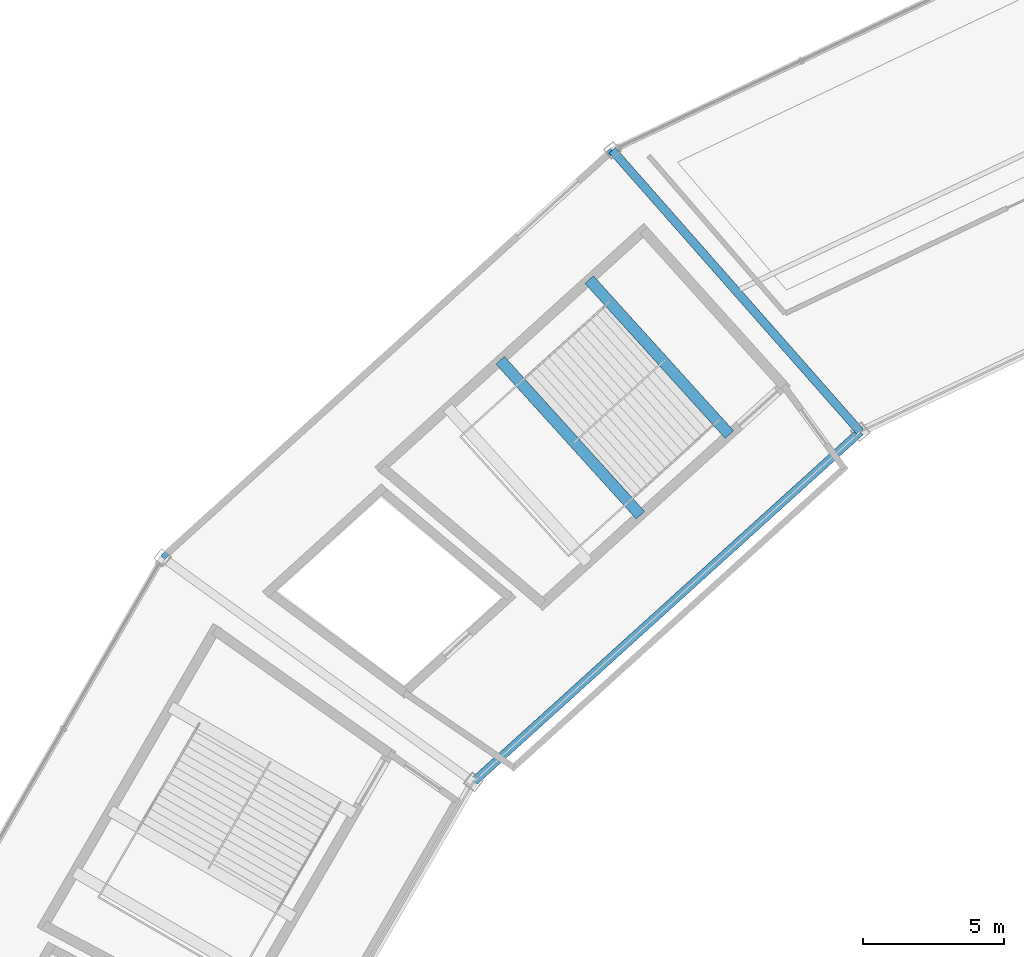
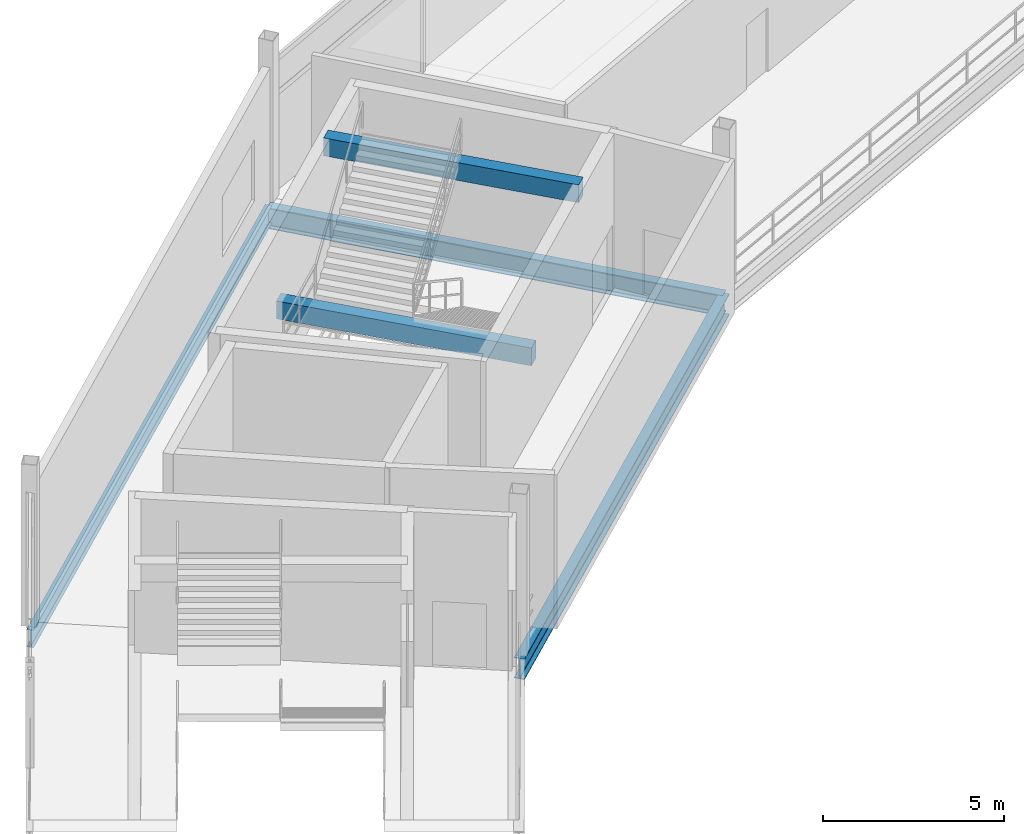
# One storey, part 50 of 103: 5 beams.
"""IFC4 building model written with IfcOpenShell, lengths in metres."""

import ifcopenshell
import ifcopenshell.guid

model = None  # the IFC model being written
_history = None  # IfcOwnerHistory: only IFC2X3 demands one
_inside = {}  # id of a spatial element -> (the spatial element, [elements in it])
_under = {}  # id of a project, library or spatial element -> (it, [spatial elements below it])
_declared = {}  # id of a project -> (the project, [libraries it declares])
_typed = {}  # id of a type object -> (the type object, [elements of that type])
_made_of = {}  # id of a material, layer set ... -> (it, [elements and type objects made of it])


def new_model(schema):
    """Start an empty IFC model of exactly this schema.

    Asked for "IFC4X3", IfcOpenShell would pick the latest addendum, in which some entities
    have other attributes; the version numbers below select the first issue.
    IFC2X3 requires an IfcOwnerHistory on every rooted entity: one is made here for all.
    """
    global model, _history
    if schema == "IFC4X3":
        model = ifcopenshell.file(schema_version=(4, 3, 0, 0))
    else:
        model = ifcopenshell.file(schema=schema)
    _inside.clear()
    _under.clear()
    _declared.clear()
    _typed.clear()
    _made_of.clear()
    _history = None
    if model.schema == "IFC2X3":
        org = make("IfcOrganization", Name="unknown")
        user = make(
            "IfcPersonAndOrganization",
            ThePerson=make("IfcPerson", FamilyName="unknown"),
            TheOrganization=org,
        )
        app = make(
            "IfcApplication",
            ApplicationDeveloper=org,
            Version="unknown",
            ApplicationFullName="unknown",
            ApplicationIdentifier="unknown",
        )
        _history = make(
            "IfcOwnerHistory",
            OwningUser=user,
            OwningApplication=app,
            ChangeAction="ADDED",
            CreationDate=0,
        )
    return model


def make(cls, **values):
    """One entity of the class cls with the attributes given. An attribute that is None is left unset."""
    return model.create_entity(
        cls, **{name: value for name, value in values.items() if value is not None}
    )


def rooted(cls, **values):
    """An entity with a GlobalId (a new one), such as an element, a storey or a relation."""
    return make(cls, GlobalId=ifcopenshell.guid.new(), OwnerHistory=_history, **values)


def si_unit(unit_type, name, prefix=None):
    """IfcSIUnit, for example si_unit("LENGTHUNIT", "METRE", prefix="MILLI")."""
    return make("IfcSIUnit", UnitType=unit_type, Prefix=prefix, Name=name)


def assignment(units):
    """IfcUnitAssignment: the units of a project."""
    return None if units is None else make("IfcUnitAssignment", Units=units)


def point(xyz):
    """IfcCartesianPoint."""
    return None if xyz is None else make("IfcCartesianPoint", Coordinates=xyz)


def direction(xyz):
    """IfcDirection."""
    return None if xyz is None else make("IfcDirection", DirectionRatios=xyz)


def frame(location, z_axis=None, x_axis=None):
    """IfcAxis2Placement3D, a coordinate frame: its origin and axes. An axis left out is left unset."""
    return make(
        "IfcAxis2Placement3D",
        Location=point(location),
        Axis=direction(z_axis),
        RefDirection=direction(x_axis),
    )


def frame_2d(location, x_axis=None):
    """IfcAxis2Placement2D, a coordinate frame in the plane: its origin and x axis."""
    return make(
        "IfcAxis2Placement2D", Location=point(location), RefDirection=direction(x_axis)
    )


def origin():
    """The frame at (0, 0, 0) with its axes left unset."""
    return frame((0.0, 0.0, 0.0))


def origin_2d():
    """The frame at (0, 0) in the plane with its x axis left unset."""
    return frame_2d((0.0, 0.0))


def place(relative_to, where):
    """IfcLocalPlacement: puts the frame where relative to a parent placement (None: the world)."""
    return make(
        "IfcLocalPlacement", PlacementRelTo=relative_to, RelativePlacement=where
    )


def context(
    kind, dimensions, precision=None, world=None, true_north=None, identifier=None
):
    """IfcGeometricRepresentationContext, for example the 3D "Model" context."""
    return make(
        "IfcGeometricRepresentationContext",
        ContextIdentifier=identifier,
        ContextType=kind,
        CoordinateSpaceDimension=dimensions,
        Precision=precision,
        WorldCoordinateSystem=world,
        TrueNorth=true_north,
    )


def subcontext(parent, identifier, kind, view, scale=None):
    """IfcGeometricRepresentationSubContext, for example "Body" below "Model"."""
    return make(
        "IfcGeometricRepresentationSubContext",
        ContextIdentifier=identifier,
        ContextType=kind,
        ParentContext=parent,
        TargetScale=scale,
        TargetView=view,
    )


def project(units=None, contexts=None):
    """IfcProject with its units and contexts."""
    return rooted(
        "IfcProject",
        Name="project",
        RepresentationContexts=contexts,
        UnitsInContext=assignment(units),
    )


def spatial(cls, under=None, at=None, **own):
    """A site, building, storey or space (cls), placed at a placement, below another one or the project."""
    s = rooted(cls, ObjectPlacement=at, **own)
    if under is not None:
        _under.setdefault(under.id(), (under, []))[1].append(s)
    return s


def profile(cls, at=None, kind="AREA", **sizes):
    """A parametric profile (cls). Its sizes go by their IFC names, for example OverallWidth=200.0."""
    return make(cls, ProfileType=kind, Position=at, **sizes)


def rectangle(**sizes):
    """IfcRectangleProfileDef."""
    return profile("IfcRectangleProfileDef", **sizes)


def i_section(**sizes):
    """IfcIShapeProfileDef."""
    return profile("IfcIShapeProfileDef", **sizes)


def extrude(swept, where, along, depth):
    """IfcExtrudedAreaSolid: the profile swept, set in the frame where, extruded along a direction by depth."""
    return make(
        "IfcExtrudedAreaSolid",
        SweptArea=swept,
        Position=where,
        ExtrudedDirection=direction(along),
        Depth=depth,
    )


def shape(context_of_items, identifier, shape_type, items):
    """IfcShapeRepresentation: the items that make up one representation, for example the "Body"."""
    return make(
        "IfcShapeRepresentation",
        ContextOfItems=context_of_items,
        RepresentationIdentifier=identifier,
        RepresentationType=shape_type,
        Items=items,
    )


def material(Name=None, Category=None):
    """IfcMaterial."""
    return make("IfcMaterial", Name=Name, Category=Category)


def material_profile(
    of_material, cross_section, Name=None, Category=None, Priority=None
):
    """IfcMaterialProfile: a cross section and its material."""
    return make(
        "IfcMaterialProfile",
        Name=Name,
        Material=of_material,
        Profile=cross_section,
        Priority=Priority,
        Category=Category,
    )


def profile_set(profiles, Name=None, composite=None):
    """IfcMaterialProfileSet."""
    return make(
        "IfcMaterialProfileSet",
        Name=Name,
        MaterialProfiles=profiles,
        CompositeProfile=composite,
    )


def made_of(thing, what):
    """Note that an element or type object is made of a material, layer set ...; save() writes the relation."""
    if what is not None:
        _made_of.setdefault(what.id(), (what, []))[1].append(thing)
    return thing


def type_object(cls, material=None, **own):
    """A type object (cls), such as IfcWallType, which elements share."""
    return made_of(rooted(cls, **own), material)


def element(
    cls,
    number,
    at=None,
    inside=None,
    cuts=None,
    type_object=None,
    material=None,
    context=None,
    identifier="Body",
    shape_type=None,
    held_by="IfcProductDefinitionShape",
    body=None,
    shapes=None,
    **own,
):
    """One element of the class cls, such as IfcWall. Its Tag is "e" and its number.

    at: its placement. inside: the storey or other place that contains it. cuts: it is an
    opening in that element (IfcRelVoidsElement). A single representation is given by context,
    identifier, shape_type and body (its items); several are given by shapes. held_by: the class
    of the entity that holds the representations. save() writes the other relations.
    """
    e = rooted(cls, Tag="e%d" % number, ObjectPlacement=at, **own)
    if body is not None:
        shapes = [shape(context, identifier, shape_type, body)]
    if shapes is not None:
        e.Representation = make(held_by, Representations=shapes)
    if inside is not None:
        _inside.setdefault(inside.id(), (inside, []))[1].append(e)
    if cuts is not None:
        rooted(
            "IfcRelVoidsElement", RelatingBuildingElement=cuts, RelatedOpeningElement=e
        )
    if type_object is not None:
        _typed.setdefault(type_object.id(), (type_object, []))[1].append(e)
    return made_of(e, material)


def aggregate(whole, parts):
    """IfcRelAggregates: a whole, such as a stair, and the parts it consists of."""
    return rooted("IfcRelAggregates", RelatingObject=whole, RelatedObjects=parts)


def save(model, path):
    """Write the relations noted so far, then the file.

    IfcRelAggregates (storeys below a building ...), IfcRelContainedInSpatialStructure (elements
    in a storey), IfcRelDefinesByType, IfcRelAssociatesMaterial and IfcRelDeclares: one each for
    every whole, place, type object, material and project.
    """
    for whole, parts in _under.values():
        aggregate(whole, parts)
    for where, things in _inside.values():
        rooted(
            "IfcRelContainedInSpatialStructure",
            RelatedElements=things,
            RelatingStructure=where,
        )
    for kind, things in _typed.values():
        rooted("IfcRelDefinesByType", RelatedObjects=things, RelatingType=kind)
    for what, things in _made_of.values():
        rooted("IfcRelAssociatesMaterial", RelatedObjects=things, RelatingMaterial=what)
    for by, libraries in _declared.values():
        rooted("IfcRelDeclares", RelatingContext=by, RelatedDefinitions=libraries)
    model.write(path)


model = new_model("IFC4")

# Units and contexts
model_context = context("Model", 3, precision=1e-05, world=origin(), true_north=direction((0.0, 1.0)))
body_context = subcontext(model_context, "Body", "Model", "MODEL_VIEW")
ifc_project = project(units=[si_unit("LENGTHUNIT", "METRE"), si_unit("AREAUNIT", "SQUARE_METRE"), si_unit("VOLUMEUNIT", "CUBIC_METRE"), si_unit("PLANEANGLEUNIT", "RADIAN"), si_unit("MASSUNIT", "GRAM", prefix="KILO")], contexts=[model_context])

# Site, building, storey
site_placement = place(None, origin())
site = spatial("IfcSite", under=ifc_project, at=site_placement, CompositionType="ELEMENT")
building_placement = place(site_placement, origin())
building = spatial("IfcBuilding", under=site, at=building_placement, Name="Kazemori Nagisa Stadium", CompositionType="ELEMENT")
storey_placement = place(building_placement, frame((0.0, 0.0, 25.840087890625)))
storey = spatial("IfcBuildingStorey", under=building, at=storey_placement, Name="L05", CompositionType="ELEMENT", Elevation=25.840087890625)

# Beams
ifc_material_1 = material(Name="Steel SN490B", Category="steel")
ifc_material_profile_1 = material_profile(ifc_material_1, i_section(OverallWidth=0.300048828125, OverallDepth=0.699951171875, WebThickness=0.012939453125, FlangeThickness=0.02392578125, FilletRadius=0.01806640625, at=origin_2d()), Name="H-700x300x13x24")
ifc_profile_set_1 = profile_set([ifc_material_profile_1], Name="Steel SN490B")
beam_type_1 = type_object("IfcBeamType", Name="Beam_BG-H700", PredefinedType="BEAM", material=ifc_profile_set_1)
beam_1_placement = place(storey_placement, frame((69.165771484375, 163.11083984375, -0.610107421875), z_axis=(-0.741349142139, -0.671119549298, 0.0), x_axis=(0.671119549298, -0.741349142139, 0.0)))
element("IfcBeam", 1, at=beam_1_placement, inside=storey, type_object=beam_type_1, Name="Ring girder BG-H700 L05 R2-11", PredefinedType="BEAM", context=body_context, shape_type="SweptSolid", body=[
    extrude(i_section(OverallWidth=0.300048828125, OverallDepth=0.699951171875, WebThickness=0.012939453125, FlangeThickness=0.02392578125, FilletRadius=0.01806640625, at=origin_2d()), origin(), (0.0, 0.0, 1.0), 18.44189453125),
])
beam_2_placement = place(storey_placement, frame((69.165771484375, 163.11083984375, -0.610107421875), z_axis=(-0.661019680997, 0.750368563664, 0.0), x_axis=(-0.750368563664, -0.661019680997, 0.0)))
element("IfcBeam", 2, at=beam_2_placement, inside=storey, type_object=beam_type_1, Name="Radial girder BG-H700 L05 R2-R3-11", PredefinedType="BEAM", context=body_context, shape_type="SweptSolid", body=[
    extrude(i_section(OverallWidth=0.300048828125, OverallDepth=0.699951171875, WebThickness=0.012939453125, FlangeThickness=0.02392578125, FilletRadius=0.01806640625, at=origin_2d()), origin(), (0.0, 0.0, 1.0), 13.2578125),
])
ifc_material_2 = material(Name="Concrete C40/50 (Fc42)", Category="concrete")
ifc_material_profile_2 = material_profile(ifc_material_2, rectangle(XDim=0.39990234375, YDim=0.60009765625, at=origin_2d()), Name="RC-BM-400x600")
ifc_profile_set_2 = profile_set([ifc_material_profile_2], Name="Concrete C40/50 (Fc42)")
beam_type_2 = type_object("IfcBeamType", Name="Beam_BG-LND400X600", PredefinedType="BEAM", material=ifc_profile_set_2)
beam_3_placement = place(storey_placement, frame((61.39599609375, 160.164306640625, 2.219970703125), z_axis=(-0.671095068472, 0.741371303108, 0.0), x_axis=(-0.741371303108, -0.671095068472, 0.0)))
element("IfcBeam", 3, at=beam_3_placement, inside=storey, type_object=beam_type_2, Name="Core stair mid-landing girder ST02-L05-1", PredefinedType="BEAM", context=body_context, shape_type="SweptSolid", body=[
    extrude(rectangle(XDim=0.39990234375, YDim=0.60009765625, at=origin_2d()), origin(), (0.0, 0.0, 1.0), 7.3857421875),
])
beam_4_placement = place(storey_placement, frame((64.543212890625, 163.01318359375, 4.8798828125), z_axis=(-0.671113236271, 0.74135485707, 0.0), x_axis=(-0.74135485707, -0.671113236271, 0.0)))
element("IfcBeam", 4, at=beam_4_placement, inside=storey, type_object=beam_type_2, Name="Core stair arrival header girder ST02-L05", PredefinedType="BEAM", context=body_context, shape_type="SweptSolid", body=[
    extrude(rectangle(XDim=0.39990234375, YDim=0.60009765625, at=origin_2d()), origin(), (0.0, 0.0, 1.0), 7.385986328125),
])
ifc_material_profile_3 = material_profile(ifc_material_1, i_section(OverallWidth=0.199951171875, OverallDepth=0.60009765625, WebThickness=0.010986328125, FlangeThickness=0.01708984375, FilletRadius=0.012939453125, at=origin_2d()), Name="H-600x200x11x17")
ifc_profile_set_3 = profile_set([ifc_material_profile_3], Name="Steel SN490B")
beam_type_3 = type_object("IfcBeamType", Name="Beam_BS-H600", PredefinedType="SPANDREL", material=ifc_profile_set_3)
beam_5_placement = place(storey_placement, frame((60.402099609375, 173.05908203125, -0.56005859375), z_axis=(-0.741351531326, -0.671116910084, 0.0), x_axis=(0.671116910084, -0.741351531326, 0.0)))
element("IfcBeam", 5, at=beam_5_placement, inside=storey, type_object=beam_type_3, Name="Ring girder BS-H600 L05 R3-11", PredefinedType="SPANDREL", context=body_context, shape_type="SweptSolid", body=[
    extrude(i_section(OverallWidth=0.199951171875, OverallDepth=0.60009765625, WebThickness=0.010986328125, FlangeThickness=0.01708984375, FilletRadius=0.012939453125, at=origin_2d()), origin(), (0.0, 0.0, 1.0), 21.44384765625),
])

save(model, "model.ifc")
